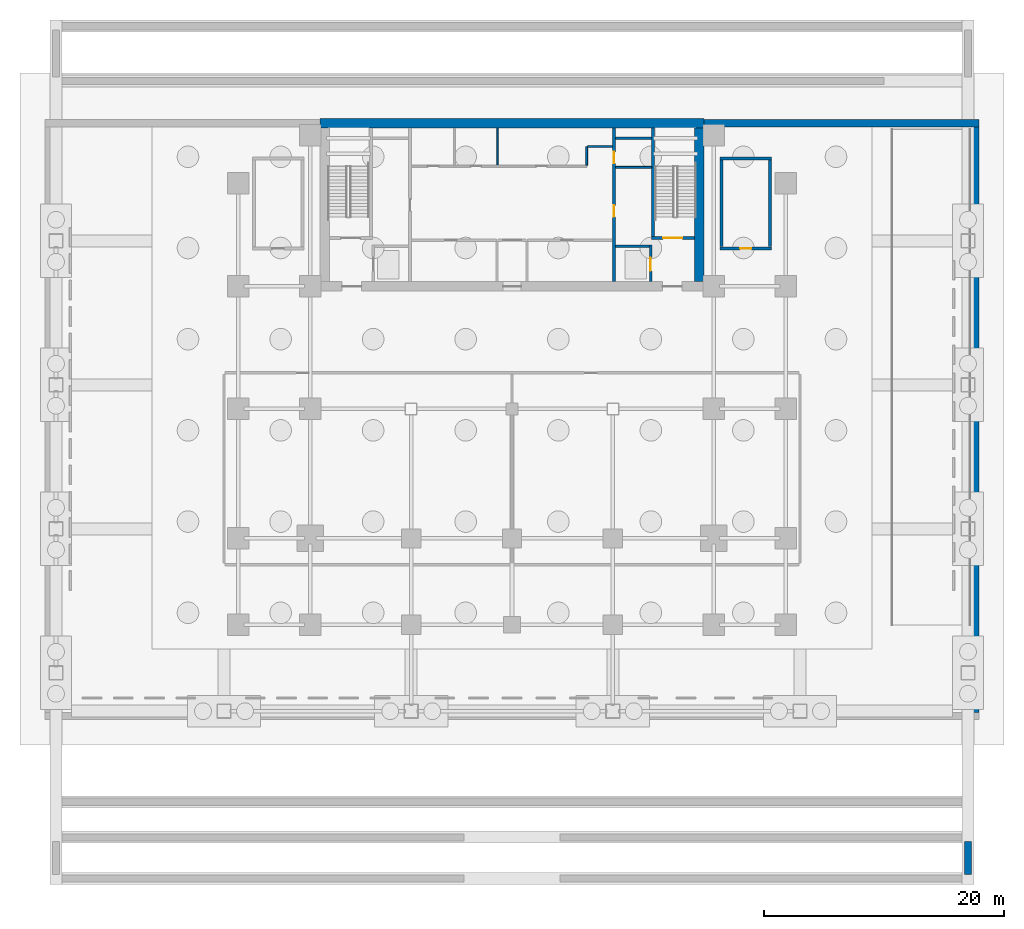
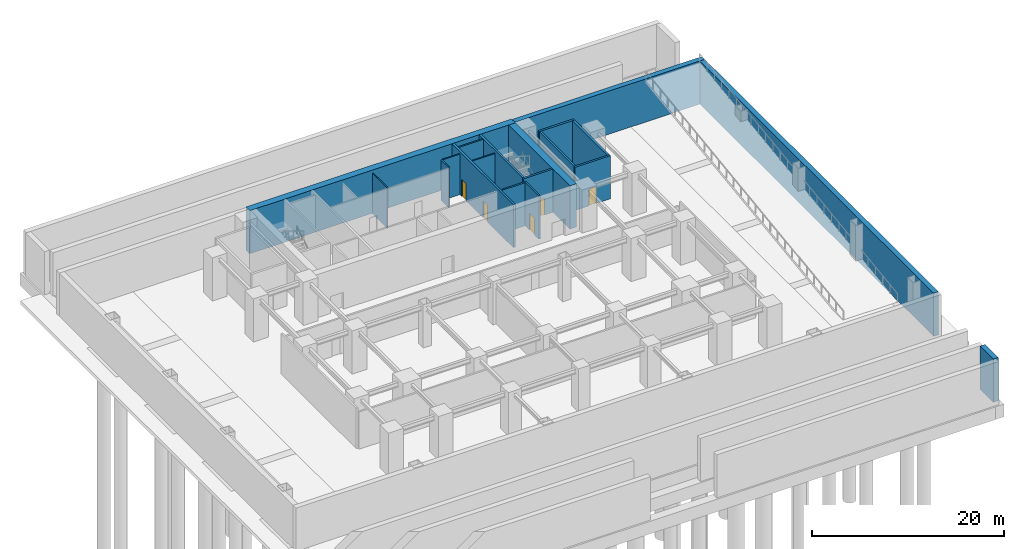
# One storey, part 5 of 9: 19 walls, 5 doors, 5 openings.
"""IFC4 building model written with IfcOpenShell, lengths in metres."""

from ifc_helpers import new_model, si_unit, direction, frame, frame_2d, origin, place, context, subcontext, project, spatial, rectangle, extrude, source, transform, mapped, material, layer, layer_set, type_object, element, fill, save


model = new_model("IFC4")

# Units and contexts
model_context = context("Model", 3, precision=1e-05, world=origin(), true_north=direction((0.0, 1.0)))
body_context = subcontext(model_context, "Body", "Model", "MODEL_VIEW")
ifc_project = project(units=[si_unit("LENGTHUNIT", "METRE"), si_unit("AREAUNIT", "SQUARE_METRE"), si_unit("VOLUMEUNIT", "CUBIC_METRE"), si_unit("PLANEANGLEUNIT", "RADIAN"), si_unit("MASSUNIT", "GRAM", prefix="KILO")], contexts=[model_context])

# Site, building, storey
site_placement = place(None, origin())
site = spatial("IfcSite", under=ifc_project, at=site_placement, CompositionType="ELEMENT")
building_placement = place(site_placement, origin())
building = spatial("IfcBuilding", under=site, at=building_placement, Name="Sumidabori Civic Tower", CompositionType="ELEMENT")
storey_placement = place(building_placement, frame((0.0, 0.0, -11.0)))
storey = spatial("IfcBuildingStorey", under=building, at=storey_placement, Name="B2", CompositionType="ELEMENT", Elevation=-11.0)

# Walls
ifc_material_1 = material(Name="Concrete C50/60", Category="concrete")
ifc_layer_1 = layer(ifc_material_1, 0.60009765625, Name="Concrete C50/60")
ifc_layer_set_1 = layer_set([ifc_layer_1], Name="Concrete C50/60")
wall_type_1 = type_object("IfcWallType", Name="WL-RET-600", PredefinedType="SHEAR", material=ifc_layer_set_1)
shared_shape_1 = source(origin(), body_context, "Body", "SweptSolid", [
    extrude(rectangle(XDim=22.89990234375, YDim=0.60009765625, at=frame_2d((11.449951171875, 0.0))), origin(), (0.0, 0.0, 1.0), 5.5),
])
wall_1_placement = place(storey_placement, frame((16.0, 23.800048828125, 0.0), z_axis=(0.0, 0.0, 1.0), x_axis=(1.0, 0.0, 0.0)))
element("IfcWall", 1, at=wall_1_placement, inside=storey, type_object=wall_type_1, Name="Basement Retaining Wall B2 NE", PredefinedType="SHEAR", context=body_context, shape_type="MappedRepresentation", body=[
    mapped(shared_shape_1, transform((0.0, 0.0, 0.0), x_axis=(1.0, 0.0, 0.0), y_axis=(0.0, 1.0, 0.0), z_axis=(0.0, 0.0, 1.0), scale=1.0)),
])
shared_shape_2 = source(origin(), body_context, "Body", "SweptSolid", [
    extrude(rectangle(XDim=48.800048828125, YDim=0.60009765625, at=frame_2d((24.39990234375, 0.0))), origin(), (0.0, 0.0, 1.0), 5.5),
])
wall_2_placement = place(storey_placement, frame((38.60009765625, -25.300048828125, 0.0), z_axis=(0.0, 0.0, 1.0), x_axis=(0.0, 1.0, 0.0)))
element("IfcWall", 2, at=wall_2_placement, inside=storey, type_object=wall_type_1, Name="Basement Retaining Wall B2 E", PredefinedType="SHEAR", context=body_context, shape_type="MappedRepresentation", body=[
    mapped(shared_shape_2, transform((0.0, 0.0, 0.0), x_axis=(1.0, 0.0, 0.0), y_axis=(0.0, 1.0, 0.0), z_axis=(0.0, 0.0, 1.0), scale=1.0)),
])
shared_shape_3 = source(origin(), body_context, "Body", "SweptSolid", [
    extrude(rectangle(XDim=2.75, YDim=0.60009765625, at=frame_2d((1.375, 0.0))), origin(), (0.0, 0.0, 1.0), 5.5),
])
wall_3_placement = place(storey_placement, frame((38.0, -38.800048828125, 0.0), z_axis=(0.0, 0.0, 1.0), x_axis=(0.0, 1.0, 0.0)))
element("IfcWall", 3, at=wall_3_placement, inside=storey, type_object=wall_type_1, Name="Substructure Perimeter Bearing Wall B2 PLZ-CE", PredefinedType="SHEAR", context=body_context, shape_type="MappedRepresentation", body=[
    mapped(shared_shape_3, transform((0.0, 0.0, 0.0), x_axis=(1.0, 0.0, 0.0), y_axis=(0.0, 1.0, 0.0), z_axis=(0.0, 0.0, 1.0), scale=1.0)),
])
ifc_material_2 = material(Name="Concrete C60/75", Category="concrete")
ifc_layer_2 = layer(ifc_material_2, 0.800048828125, Name="Concrete C60/75")
ifc_layer_set_2 = layer_set([ifc_layer_2], Name="Concrete C60/75")
wall_type_2 = type_object("IfcWallType", Name="WL-CORE-800", PredefinedType="SHEAR", material=ifc_layer_set_2)
shared_shape_4 = source(origin(), body_context, "Body", "SweptSolid", [
    extrude(rectangle(XDim=32.0, YDim=0.800048828125, at=frame_2d((16.0, 0.0))), origin(), (0.0, 0.0, 1.0), 5.5),
])
wall_4_placement = place(storey_placement, frame((-16.0, 23.800048828125, 0.0), z_axis=(0.0, 0.0, 1.0), x_axis=(1.0, 0.0, 0.0)))
element("IfcWall", 4, at=wall_4_placement, inside=storey, type_object=wall_type_2, Name="Core Shear Wall B2 N", PredefinedType="SHEAR", context=body_context, shape_type="MappedRepresentation", body=[
    mapped(shared_shape_4, transform((0.0, 0.0, 0.0), x_axis=(1.0, 0.0, 0.0), y_axis=(0.0, 1.0, 0.0), z_axis=(0.0, 0.0, 1.0), scale=1.0)),
])
shared_shape_5 = source(origin(), body_context, "Body", "SweptSolid", [
    extrude(rectangle(XDim=12.7998046875, YDim=0.800048828125, at=frame_2d((6.39990234375, 0.0))), origin(), (0.0, 0.0, 1.0), 5.5),
])
wall_5_placement = place(storey_placement, frame((15.60009765625, 10.60009765625, 0.0), z_axis=(0.0, 0.0, 1.0), x_axis=(0.0, 1.0, 0.0)))
element("IfcWall", 5, at=wall_5_placement, inside=storey, type_object=wall_type_2, Name="Core Shear Wall B2 E", PredefinedType="SHEAR", context=body_context, shape_type="MappedRepresentation", body=[
    mapped(shared_shape_5, transform((0.0, 0.0, 0.0), x_axis=(1.0, 0.0, 0.0), y_axis=(0.0, 1.0, 0.0), z_axis=(0.0, 0.0, 1.0), scale=1.0)),
])

# Wall, openings, doors
ifc_layer_3 = layer(ifc_material_1, 0.25, Name="Concrete C50/60")
ifc_layer_set_3 = layer_set([ifc_layer_3], Name="Concrete C50/60")
wall_type_3 = type_object("IfcWallType", Name="WL-SHAFT-250", PredefinedType="SHEAR", material=ifc_layer_set_3)
shared_shape_6 = source(origin(), body_context, "Body", "SweptSolid", [
    extrude(rectangle(XDim=12.7998046875, YDim=0.25, at=frame_2d((6.39990234375, 0.0))), origin(), (0.0, 0.0, 1.0), 5.5),
])
wall_6_placement = place(storey_placement, frame((8.5, 10.60009765625, 0.0), z_axis=(0.0, 0.0, 1.0), x_axis=(0.0, 1.0, 0.0)))
wall_6 = element("IfcWall", 6, at=wall_6_placement, inside=storey, type_object=wall_type_3, Name="Core Shear Wall B2 WEB-E", PredefinedType="SHEAR", context=body_context, shape_type="MappedRepresentation", body=[
    mapped(shared_shape_6, transform((0.0, 0.0, 0.0), x_axis=(1.0, 0.0, 0.0), y_axis=(0.0, 1.0, 0.0), z_axis=(0.0, 0.0, 1.0), scale=1.0)),
])
opening_1_placement = place(wall_6_placement, frame((5.39990234375, 0.0, 0.0)))
opening_1 = element("IfcOpeningElement", 7, at=opening_1_placement, cuts=wall_6, Name="Opening DR-FD2", PredefinedType="OPENING", context=body_context, shape_type="SweptSolid", body=[
    extrude(rectangle(XDim=0.949951171875, YDim=2.14990234375, at=frame_2d((0.47509765625, 1.074951171875))), frame((0.0, 0.136962890625, 0.0), z_axis=(0.0, -1.0, 0.0), x_axis=(1.0, 0.0, 0.0)), (0.0, 0.0, 1.0), 0.27392578125),
])
opening_2_placement = place(wall_6_placement, frame((9.85009765625, 0.0, 0.0)))
opening_2 = element("IfcOpeningElement", 8, at=opening_2_placement, cuts=wall_6, Name="Opening DR-2", PredefinedType="OPENING", context=body_context, shape_type="SweptSolid", body=[
    extrude(rectangle(XDim=0.949951171875, YDim=2.14990234375, at=frame_2d((0.47509765625, 1.074951171875))), frame((0.0, 0.136962890625, 0.0), z_axis=(0.0, -1.0, 0.0), x_axis=(1.0, 0.0, 0.0)), (0.0, 0.0, 1.0), 0.27392578125),
])
ifc_material_3 = material(Name="Steel SN490", Category="steel")
door_type_1 = type_object("IfcDoorType", Name="DR-FD2", OperationType="NOTDEFINED", PredefinedType="DOOR", material=ifc_material_3)
shared_shape_7 = source(origin(), body_context, "Body", "SweptSolid", [
    extrude(rectangle(XDim=0.949951171875, YDim=2.14990234375, at=frame_2d((0.47509765625, 1.074951171875))), frame((0.0, 0.02490234375, 0.0), z_axis=(0.0, -1.0, 0.0), x_axis=(1.0, 0.0, 0.0)), (0.0, 0.0, 1.0), 0.050048828125),
])
door_1_placement = place(opening_1_placement, origin())
door_1 = element("IfcDoor", 9, at=door_1_placement, inside=storey, type_object=door_type_1, Name="Door DR:B2:CE-STR", OperationType="SINGLE_SWING_RIGHT", OverallHeight=2.14990234375, OverallWidth=0.949951171875, PredefinedType="DOOR", context=body_context, shape_type="MappedRepresentation", body=[
    mapped(shared_shape_7, transform((0.0, 0.0, 0.0), x_axis=(1.0, 0.0, 0.0), y_axis=(0.0, 1.0, 0.0), z_axis=(0.0, 0.0, 1.0), scale=1.0)),
])
fill(opening_1, door_1)
ifc_material_4 = material(Name="Japanese Hinoki Timber", Category="wood")
door_type_2 = type_object("IfcDoorType", Name="DR-INT-950", OperationType="NOTDEFINED", PredefinedType="DOOR", material=ifc_material_4)
shared_shape_8 = source(origin(), body_context, "Body", "SweptSolid", [
    extrude(rectangle(XDim=0.949951171875, YDim=2.14990234375, at=frame_2d((0.47509765625, 1.074951171875))), frame((0.0, 0.02490234375, 0.0), z_axis=(0.0, -1.0, 0.0), x_axis=(1.0, 0.0, 0.0)), (0.0, 0.0, 1.0), 0.050048828125),
])
door_2_placement = place(opening_2_placement, origin())
door_2 = element("IfcDoor", 10, at=door_2_placement, inside=storey, type_object=door_type_2, Name="Door DR:B2:WC-ACC", OperationType="SINGLE_SWING_RIGHT", OverallHeight=2.14990234375, OverallWidth=0.949951171875, PredefinedType="DOOR", context=body_context, shape_type="MappedRepresentation", body=[
    mapped(shared_shape_8, transform((0.0, 0.0, 0.0), x_axis=(1.0, 0.0, 0.0), y_axis=(0.0, 1.0, 0.0), z_axis=(0.0, 0.0, 1.0), scale=1.0)),
])
fill(opening_2, door_2)

# Wall, opening, door
shared_shape_9 = source(origin(), body_context, "Body", "SweptSolid", [
    extrude(rectangle(XDim=3.554931640625, YDim=0.25, at=frame_2d((1.77734375, 0.0))), origin(), (0.0, 0.0, 1.0), 5.5),
])
wall_7_placement = place(storey_placement, frame((11.64501953125, 14.25, 0.0), z_axis=(0.0, 0.0, 1.0), x_axis=(1.0, 0.0, 0.0)))
wall_7 = element("IfcWall", 11, at=wall_7_placement, inside=storey, type_object=wall_type_3, Name="Core Shear Wall B2 ST2-S", PredefinedType="SHEAR", context=body_context, shape_type="MappedRepresentation", body=[
    mapped(shared_shape_9, transform((0.0, 0.0, 0.0), x_axis=(1.0, 0.0, 0.0), y_axis=(0.0, 1.0, 0.0), z_axis=(0.0, 0.0, 1.0), scale=1.0)),
])
opening_3_placement = place(wall_7_placement, frame((0.949951171875, 0.0, 0.0)))
opening_3 = element("IfcOpeningElement", 12, at=opening_3_placement, cuts=wall_7, Name="Opening DR-FD4", PredefinedType="OPENING", context=body_context, shape_type="SweptSolid", body=[
    extrude(rectangle(XDim=1.60009765625, YDim=2.14990234375, at=frame_2d((0.800048828125, 1.074951171875))), frame((0.0, 0.136962890625, 0.0), z_axis=(0.0, -1.0, 0.0), x_axis=(1.0, 0.0, 0.0)), (0.0, 0.0, 1.0), 0.27392578125),
])
door_type_3 = type_object("IfcDoorType", Name="DR-FD4", OperationType="DOUBLE_DOOR_SINGLE_SWING", PredefinedType="DOOR", material=ifc_material_3)
shared_shape_10 = source(origin(), body_context, "Body", "SweptSolid", [
    extrude(rectangle(XDim=1.60009765625, YDim=2.14990234375, at=frame_2d((0.800048828125, 1.074951171875))), frame((0.0, 0.02490234375, 0.0), z_axis=(0.0, -1.0, 0.0), x_axis=(1.0, 0.0, 0.0)), (0.0, 0.0, 1.0), 0.050048828125),
])
door_3_placement = place(opening_3_placement, origin())
door_3 = element("IfcDoor", 13, at=door_3_placement, inside=storey, type_object=door_type_3, Name="Door DR:B2:ST2", OperationType="DOUBLE_DOOR_SINGLE_SWING", OverallHeight=2.14990234375, OverallWidth=1.60009765625, PredefinedType="DOOR", context=body_context, shape_type="MappedRepresentation", body=[
    mapped(shared_shape_10, transform((0.0, 0.0, 0.0), x_axis=(1.0, 0.0, 0.0), y_axis=(0.0, 1.0, 0.0), z_axis=(0.0, 0.0, 1.0), scale=1.0)),
])
fill(opening_3, door_3)

# Wall
shared_shape_11 = source(origin(), body_context, "Body", "SweptSolid", [
    extrude(rectangle(XDim=9.02490234375, YDim=0.25, at=frame_2d((4.512451171875, 0.0))), origin(), (0.0, 0.0, 1.0), 5.5),
])
wall_8_placement = place(storey_placement, frame((11.77001953125, 14.375, 0.0), z_axis=(0.0, 0.0, 1.0), x_axis=(0.0, 1.0, 0.0)))
element("IfcWall", 14, at=wall_8_placement, inside=storey, type_object=wall_type_3, Name="Core Shear Wall B2 ST2-W", PredefinedType="SHEAR", context=body_context, shape_type="MappedRepresentation", body=[
    mapped(shared_shape_11, transform((0.0, 0.0, 0.0), x_axis=(1.0, 0.0, 0.0), y_axis=(0.0, 1.0, 0.0), z_axis=(0.0, 0.0, 1.0), scale=1.0)),
])

# Wall, opening, door
ifc_layer_4 = layer(ifc_material_1, 0.199951171875, Name="Concrete C50/60")
ifc_layer_set_4 = layer_set([ifc_layer_4], Name="Concrete C50/60")
wall_type_4 = type_object("IfcWallType", Name="WL-SHAFT-200", PredefinedType="SHEAR", material=ifc_layer_set_4)
shared_shape_12 = source(origin(), body_context, "Body", "SweptSolid", [
    extrude(rectangle(XDim=3.0498046875, YDim=0.199951171875, at=frame_2d((1.52490234375, 0.0))), origin(), (0.0, 0.0, 1.0), 5.5),
])
wall_9_placement = place(storey_placement, frame((11.550048828125, 10.60009765625, 0.0), z_axis=(0.0, 0.0, 1.0), x_axis=(0.0, 1.0, 0.0)))
wall_9 = element("IfcWall", 15, at=wall_9_placement, inside=storey, type_object=wall_type_4, Name="Core Shear Wall B2 EL2-E", PredefinedType="SHEAR", context=body_context, shape_type="MappedRepresentation", body=[
    mapped(shared_shape_12, transform((0.0, 0.0, 0.0), x_axis=(1.0, 0.0, 0.0), y_axis=(0.0, 1.0, 0.0), z_axis=(0.0, 0.0, 1.0), scale=1.0)),
])
opening_4_placement = place(wall_9_placement, frame((0.89990234375, 0.0, 0.0)))
opening_4 = element("IfcOpeningElement", 16, at=opening_4_placement, cuts=wall_9, Name="Opening LD-2", PredefinedType="OPENING", context=body_context, shape_type="SweptSolid", body=[
    extrude(rectangle(XDim=1.10009765625, YDim=2.14990234375, at=frame_2d((0.550048828125, 1.074951171875))), frame((0.0, 0.11181640625, 0.0), z_axis=(0.0, -1.0, 0.0), x_axis=(1.0, 0.0, 0.0)), (0.0, 0.0, 1.0), 0.223876953125),
])
ifc_material_5 = material(Name="Stainless Steel Hairline Finish", Category="steel")
door_type_4 = type_object("IfcDoorType", Name="DR-LD2", OperationType="DOUBLE_DOOR_SLIDING", PredefinedType="DOOR", material=ifc_material_5)
shared_shape_13 = source(origin(), body_context, "Body", "SweptSolid", [
    extrude(rectangle(XDim=1.10009765625, YDim=2.14990234375, at=frame_2d((0.550048828125, 1.074951171875))), frame((0.0, 0.02490234375, 0.0), z_axis=(0.0, -1.0, 0.0), x_axis=(1.0, 0.0, 0.0)), (0.0, 0.0, 1.0), 0.050048828125),
])
door_4_placement = place(opening_4_placement, origin())
door_4 = element("IfcDoor", 17, at=door_4_placement, inside=storey, type_object=door_type_4, Name="Door DR:B2:LD-EL2", OperationType="DOUBLE_DOOR_SLIDING", OverallHeight=2.14990234375, OverallWidth=1.10009765625, PredefinedType="DOOR", context=body_context, shape_type="MappedRepresentation", body=[
    mapped(shared_shape_13, transform((0.0, 0.0, 0.0), x_axis=(1.0, 0.0, 0.0), y_axis=(0.0, 1.0, 0.0), z_axis=(0.0, 0.0, 1.0), scale=1.0)),
])
fill(opening_4, door_4)

# Walls
shared_shape_14 = source(origin(), body_context, "Body", "SweptSolid", [
    extrude(rectangle(XDim=2.824951171875, YDim=0.199951171875, at=frame_2d((1.41259765625, 0.0))), origin(), (0.0, 0.0, 1.0), 5.5),
])
wall_10_placement = place(storey_placement, frame((8.625, 13.550048828125, 0.0), z_axis=(0.0, 0.0, 1.0), x_axis=(1.0, 0.0, 0.0)))
element("IfcWall", 18, at=wall_10_placement, inside=storey, type_object=wall_type_4, Name="Core Shear Wall B2 EL2-N", PredefinedType="SHEAR", context=body_context, shape_type="MappedRepresentation", body=[
    mapped(shared_shape_14, transform((0.0, 0.0, 0.0), x_axis=(1.0, 0.0, 0.0), y_axis=(0.0, 1.0, 0.0), z_axis=(0.0, 0.0, 1.0), scale=1.0)),
])
shared_shape_15 = source(origin(), body_context, "Body", "SweptSolid", [
    extrude(rectangle(XDim=3.02001953125, YDim=0.199951171875, at=frame_2d((1.510009765625, 0.0))), origin(), (0.0, 0.0, 1.0), 5.5),
])
wall_11_placement = place(storey_placement, frame((8.625, 22.550048828125, 0.0), z_axis=(0.0, 0.0, 1.0), x_axis=(1.0, 0.0, 0.0)))
element("IfcWall", 19, at=wall_11_placement, inside=storey, type_object=wall_type_4, Name="Core Shear Wall B2 RIS2-S", PredefinedType="SHEAR", context=body_context, shape_type="MappedRepresentation", body=[
    mapped(shared_shape_15, transform((0.0, 0.0, 0.0), x_axis=(1.0, 0.0, 0.0), y_axis=(0.0, 1.0, 0.0), z_axis=(0.0, 0.0, 1.0), scale=1.0)),
])
shared_shape_16 = source(origin(), body_context, "Body", "SweptSolid", [
    extrude(rectangle(XDim=4.260009765625, YDim=0.25, at=frame_2d((2.1298828125, 0.0))), origin(), (0.0, 0.0, 1.0), 5.5),
])
wall_12_placement = place(storey_placement, frame((17.35009765625, 20.864990234375, 0.0), z_axis=(0.0, 0.0, 1.0), x_axis=(1.0, 0.0, 0.0)))
element("IfcWall", 20, at=wall_12_placement, inside=storey, type_object=wall_type_3, Name="Core Shear Wall B2 ST4-N", PredefinedType="SHEAR", context=body_context, shape_type="MappedRepresentation", body=[
    mapped(shared_shape_16, transform((0.0, 0.0, 0.0), x_axis=(1.0, 0.0, 0.0), y_axis=(0.0, 1.0, 0.0), z_axis=(0.0, 0.0, 1.0), scale=1.0)),
])

# Wall, opening, door
wall_13_placement = place(storey_placement, frame((17.35009765625, 13.375, 0.0), z_axis=(0.0, 0.0, 1.0), x_axis=(1.0, 0.0, 0.0)))
wall_13 = element("IfcWall", 21, at=wall_13_placement, inside=storey, type_object=wall_type_3, Name="Core Shear Wall B2 ST4-S", PredefinedType="SHEAR", context=body_context, shape_type="MappedRepresentation", body=[
    mapped(shared_shape_16, transform((0.0, 0.0, 0.0), x_axis=(1.0, 0.0, 0.0), y_axis=(0.0, 1.0, 0.0), z_axis=(0.0, 0.0, 1.0), scale=1.0)),
])
opening_5_placement = place(wall_13_placement, frame((1.64990234375, 0.0, 0.0)))
opening_5 = element("IfcOpeningElement", 22, at=opening_5_placement, cuts=wall_13, Name="Opening DR-FD2", PredefinedType="OPENING", context=body_context, shape_type="SweptSolid", body=[
    extrude(rectangle(XDim=0.949951171875, YDim=2.14990234375, at=frame_2d((0.47509765625, 1.074951171875))), frame((0.0, 0.136962890625, 0.0), z_axis=(0.0, -1.0, 0.0), x_axis=(1.0, 0.0, 0.0)), (0.0, 0.0, 1.0), 0.27392578125),
])
door_5_placement = place(opening_5_placement, origin())
door_5 = element("IfcDoor", 23, at=door_5_placement, inside=storey, type_object=door_type_1, Name="Door DR:B2:FAN-ST4", OperationType="SINGLE_SWING_RIGHT", OverallHeight=2.14990234375, OverallWidth=0.949951171875, PredefinedType="DOOR", context=body_context, shape_type="MappedRepresentation", body=[
    mapped(shared_shape_7, transform((0.0, 0.0, 0.0), x_axis=(1.0, 0.0, 0.0), y_axis=(0.0, 1.0, 0.0), z_axis=(0.0, 0.0, 1.0), scale=1.0)),
])
fill(opening_5, door_5)

# Walls
shared_shape_17 = source(origin(), body_context, "Body", "SweptSolid", [
    extrude(rectangle(XDim=7.230224609375, YDim=0.25, at=frame_2d((3.615234375, 0.0))), origin(), (0.0, 0.0, 1.0), 5.5),
])
for number, where, z_axis, x_axis, name in (
    (24, (17.47509765625, 13.5048828125, 0.0), (0.0, 0.0, 1.0), (0.0, 1.0, 0.0), "Core Shear Wall B2 ST4-W"),
    (25, (21.485107421875, 13.5048828125, 0.0), (0.0, 0.0, 1.0), (0.0, 1.0, 0.0), "Core Shear Wall B2 ST4-E"),
):
    element("IfcWall", number, at=place(storey_placement, frame(where, z_axis=z_axis, x_axis=x_axis)), inside=storey, type_object=wall_type_3, Name=name, PredefinedType="SHEAR", context=body_context, shape_type="MappedRepresentation", body=[
        mapped(shared_shape_17, transform((0.0, 0.0, 0.0), x_axis=(1.0, 0.0, 0.0), y_axis=(0.0, 1.0, 0.0), z_axis=(0.0, 0.0, 1.0), scale=1.0)),
    ])
ifc_material_6 = material(Name="Gypsum Plasterboard Acoustic Partition")
ifc_layer_5 = layer(ifc_material_6, 0.14990234375, Name="Gypsum Plasterboard Acoustic Partition")
ifc_layer_set_5 = layer_set([ifc_layer_5], Name="Gypsum Plasterboard Acoustic Partition")
wall_type_5 = type_object("IfcWallType", Name="WL-PART-150", PredefinedType="PARTITIONING", material=ifc_layer_set_5)
shared_shape_18 = source(origin(), body_context, "Body", "SweptSolid", [
    extrude(rectangle(XDim=3.010009765625, YDim=0.14990234375, at=frame_2d((1.5048828125, 0.0))), origin(), (0.0, 0.0, 1.0), 5.14990234375),
])
wall_14_placement = place(storey_placement, frame((8.6298828125, 20.1201171875, 0.0), z_axis=(0.0, 0.0, 1.0), x_axis=(1.0, 0.0, 0.0)))
element("IfcWall", 26, at=wall_14_placement, inside=storey, type_object=wall_type_5, Name="Interior Partition WL:B2:DIV-CE-WC", PredefinedType="PARTITIONING", context=body_context, shape_type="MappedRepresentation", body=[
    mapped(shared_shape_18, transform((0.0, 0.0, 0.0), x_axis=(1.0, 0.0, 0.0), y_axis=(0.0, 1.0, 0.0), z_axis=(0.0, 0.0, 1.0), scale=1.0)),
])
shared_shape_19 = source(origin(), body_context, "Body", "SweptSolid", [
    extrude(rectangle(XDim=1.550048828125, YDim=0.14990234375, at=frame_2d((0.77490234375, 0.0))), origin(), (0.0, 0.0, 1.0), 5.14990234375),
])
wall_15_placement = place(storey_placement, frame((6.219970703125, 20.300048828125, 0.0), z_axis=(0.0, 0.0, 1.0), x_axis=(0.0, 1.0, 0.0)))
element("IfcWall", 27, at=wall_15_placement, inside=storey, type_object=wall_type_5, Name="Interior Partition WL:B2:CBAND-ME1", PredefinedType="PARTITIONING", context=body_context, shape_type="MappedRepresentation", body=[
    mapped(shared_shape_19, transform((0.0, 0.0, 0.0), x_axis=(1.0, 0.0, 0.0), y_axis=(0.0, 1.0, 0.0), z_axis=(0.0, 0.0, 1.0), scale=1.0)),
])
shared_shape_20 = source(origin(), body_context, "Body", "SweptSolid", [
    extrude(rectangle(XDim=2.070068359375, YDim=0.14990234375, at=frame_2d((1.03515625, 0.0))), origin(), (0.0, 0.0, 1.0), 5.14990234375),
])
wall_16_placement = place(storey_placement, frame((6.300048828125, 21.85009765625, 0.0), z_axis=(0.0, 0.0, 1.0), x_axis=(1.0, 0.0, 0.0)))
element("IfcWall", 28, at=wall_16_placement, inside=storey, type_object=wall_type_5, Name="Interior Partition WL:B2:CBAND-ME2", PredefinedType="PARTITIONING", context=body_context, shape_type="MappedRepresentation", body=[
    mapped(shared_shape_20, transform((0.0, 0.0, 0.0), x_axis=(1.0, 0.0, 0.0), y_axis=(0.0, 1.0, 0.0), z_axis=(0.0, 0.0, 1.0), scale=1.0)),
])
ifc_layer_6 = layer(ifc_material_6, 0.1201171875, Name="Gypsum Plasterboard Acoustic Partition")
ifc_layer_set_6 = layer_set([ifc_layer_6], Name="Gypsum Plasterboard Acoustic Partition")
wall_type_6 = type_object("IfcWallType", Name="WL-PART-120", PredefinedType="PARTITIONING", material=ifc_layer_set_6)
shared_shape_21 = source(origin(), body_context, "Body", "SweptSolid", [
    extrude(rectangle(XDim=3.0400390625, YDim=0.1201171875, at=frame_2d((1.52001953125, 0.0))), origin(), (0.0, 0.0, 1.0), 5.14990234375),
])
wall_17_placement = place(storey_placement, frame((-1.199951171875, 20.320068359375, 0.0), z_axis=(0.0, 0.0, 1.0), x_axis=(0.0, 1.0, 0.0)))
element("IfcWall", 29, at=wall_17_placement, inside=storey, type_object=wall_type_6, Name="Interior Partition WL:B2:LV8-S2", PredefinedType="PARTITIONING", context=body_context, shape_type="MappedRepresentation", body=[
    mapped(shared_shape_21, transform((0.0, 0.0, 0.0), x_axis=(1.0, 0.0, 0.0), y_axis=(0.0, 1.0, 0.0), z_axis=(0.0, 0.0, 1.0), scale=1.0)),
])

save(model, "model.ifc")
